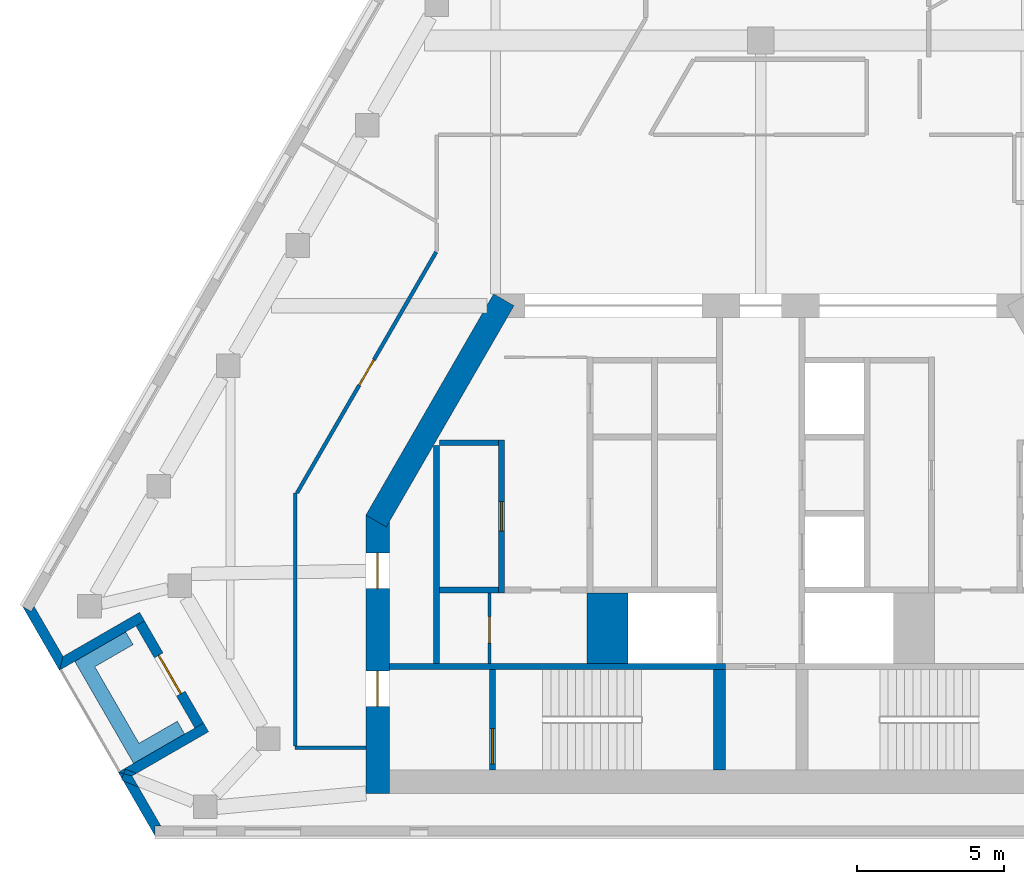
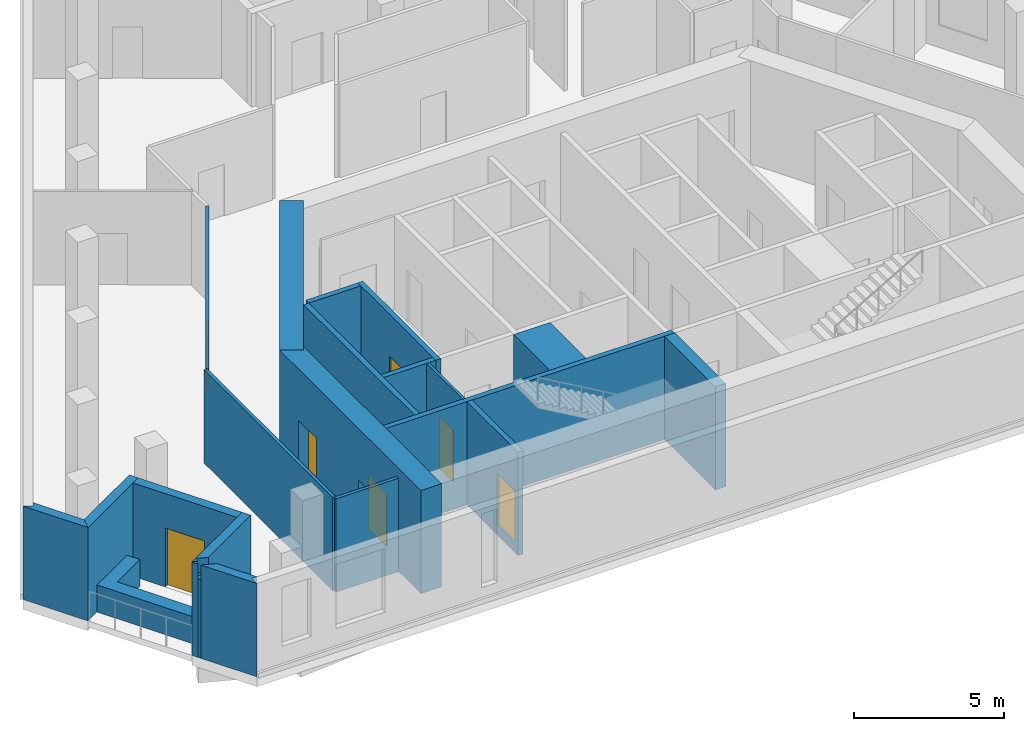
# One storey, part 2 of 8: 23 walls, 7 doors, 7 openings.
"""IFC4 building model written with IfcOpenShell, lengths in metres."""

from ifc_helpers import new_model, si_unit, direction, frame, frame_2d, origin, place, context, subcontext, project, spatial, polyline, rectangle, outline, extrude, material, layer, layer_set, type_object, element, fill, save


model = new_model("IFC4")

# Units and contexts
model_context = context("Model", 3, precision=1e-05, world=origin(), true_north=direction((0.0, 1.0)))
body_context = subcontext(model_context, "Body", "Model", "MODEL_VIEW")
ifc_project = project(units=[si_unit("LENGTHUNIT", "METRE"), si_unit("AREAUNIT", "SQUARE_METRE"), si_unit("VOLUMEUNIT", "CUBIC_METRE"), si_unit("PLANEANGLEUNIT", "RADIAN"), si_unit("MASSUNIT", "GRAM", prefix="KILO")], contexts=[model_context])

# Site, building, storey
site_placement = place(None, origin())
site = spatial("IfcSite", under=ifc_project, at=site_placement, CompositionType="ELEMENT")
building_placement = place(site_placement, origin())
building = spatial("IfcBuilding", under=site, at=building_placement, Name="Fogline Exchange Tower", CompositionType="ELEMENT")
storey_placement = place(building_placement, frame((0.0, 0.0, 296.10009765625)))
storey = spatial("IfcBuildingStorey", under=building, at=storey_placement, Name="L67", CompositionType="ELEMENT", Elevation=296.10009765625)

# Wall, opening, door
ifc_material_1 = material(Name="Blockwork partition", Category="masonry")
ifc_layer_1 = layer(ifc_material_1, 0.10009765625)
ifc_layer_set_1 = layer_set([ifc_layer_1], Name="CW10")
wall_type_1 = type_object("IfcWallType", Name="CW10", PredefinedType="PARTITIONING", material=ifc_layer_set_1)
wall_1_placement = place(storey_placement, frame((-9.199951171875, 5.85009765625, 0.0), z_axis=(0.0, 0.0, 1.0), x_axis=(0.0, 1.0, 0.0)))
wall_1 = element("IfcWall", 1, at=wall_1_placement, inside=storey, type_object=wall_type_1, Name="WC partition", PredefinedType="PARTITIONING", context=body_context, shape_type="SweptSolid", body=[
    extrude(rectangle(XDim=2.39990234375, YDim=0.10009765625, at=frame_2d((1.199951171875, 0.0))), origin(), (0.0, 0.0, 1.0), 3.7998046875),
])
opening_1_placement = place(wall_1_placement, frame((0.699951171875, 0.0, 0.0)))
opening_1 = element("IfcOpeningElement", 2, at=opening_1_placement, cuts=wall_1, Name="Opening T21-C011", PredefinedType="OPENING", context=body_context, shape_type="SweptSolid", body=[
    extrude(rectangle(XDim=0.89990234375, YDim=2.10009765625, at=frame_2d((0.449951171875, 1.050048828125))), frame((0.0, 0.06005859375, 0.0), z_axis=(0.0, -1.0, 0.0), x_axis=(1.0, 0.0, 0.0)), (0.0, 0.0, 1.0), 0.1201171875),
])
ifc_material_2 = material(Name="Steel and timber fire door", Category="steel")
door_type_1 = type_object("IfcDoorType", Name="D-CS1", OperationType="SINGLE_SWING_RIGHT", PredefinedType="DOOR", material=ifc_material_2)
door_1_placement = place(opening_1_placement, origin())
door_1 = element("IfcDoor", 3, at=door_1_placement, inside=storey, type_object=door_type_1, Name="Door to Cleaner's Store", OperationType="SINGLE_SWING_LEFT", OverallHeight=2.10009765625, OverallWidth=0.89990234375, PredefinedType="DOOR", context=body_context, shape_type="SweptSolid", body=[
    extrude(rectangle(XDim=0.89990234375, YDim=2.10009765625, at=frame_2d((0.449951171875, 1.050048828125))), frame((0.0, 0.02490234375, 0.0), z_axis=(0.0, -1.0, 0.0), x_axis=(1.0, 0.0, 0.0)), (0.0, 0.0, 1.0), 0.050048828125),
])
fill(opening_1, door_1)

# Walls
ifc_material_3 = material(Name="Concrete C60", Category="concrete")
ifc_layer_2 = layer(ifc_material_3, 1.39990234375)
ifc_layer_set_2 = layer_set([ifc_layer_2], Name="CW140")
wall_type_2 = type_object("IfcWallType", Name="CW140", PredefinedType="SOLIDWALL", material=ifc_layer_set_2)
wall_2_placement = place(storey_placement, frame((-5.199951171875, 5.85009765625, -0.400146484375), z_axis=(0.0, 0.0, 1.0), x_axis=(0.0, 1.0, 0.0)))
element("IfcWall", 4, at=wall_2_placement, inside=storey, type_object=wall_type_2, Name="Lift shaft block wall", PredefinedType="SOLIDWALL", context=body_context, shape_type="SweptSolid", body=[
    extrude(rectangle(XDim=2.39990234375, YDim=1.39990234375, at=frame_2d((1.199951171875, 0.0))), origin(), (0.0, 0.0, 1.0), 4.199951171875),
])
ifc_material_4 = material(Name="Concrete C40", Category="concrete")
ifc_layer_3 = layer(ifc_material_4, 0.199951171875)
ifc_layer_set_3 = layer_set([ifc_layer_3], Name="CW20")
wall_type_3 = type_object("IfcWallType", Name="CW20", PredefinedType="SOLIDWALL", material=ifc_layer_set_3)
wall_3_placement = place(storey_placement, frame((-11.0, 5.85009765625, 0.0), z_axis=(0.0, 0.0, 1.0), x_axis=(0.0, 1.0, 0.0)))
element("IfcWall", 5, at=wall_3_placement, inside=storey, type_object=wall_type_3, Name="Service room wall", PredefinedType="SOLIDWALL", context=body_context, shape_type="SweptSolid", body=[
    extrude(rectangle(XDim=7.39990234375, YDim=0.199951171875, at=frame_2d((3.699951171875, 0.0))), origin(), (0.0, 0.0, 1.0), 3.7998046875),
])
ifc_layer_4 = layer(ifc_material_4, 0.199951171875)
ifc_layer_set_4 = layer_set([ifc_layer_4], Name="CW20R")
wall_type_4 = type_object("IfcWallType", Name="CW20R", PredefinedType="SOLIDWALL", material=ifc_layer_set_4)
wall_4_placement = place(storey_placement, frame((-12.60009765625, 5.75, -0.400146484375), z_axis=(0.0, 0.0, 1.0), x_axis=(1.0, 0.0, 0.0)))
element("IfcWall", 6, at=wall_4_placement, inside=storey, type_object=wall_type_4, Name="Stair enclosure wall", PredefinedType="SOLIDWALL", context=body_context, shape_type="SweptSolid", body=[
    extrude(rectangle(XDim=11.400146484375, YDim=0.199951171875, at=frame_2d((5.7001953125, 0.0))), origin(), (0.0, 0.0, 1.0), 4.199951171875),
])

# Wall, opening, door
wall_5_placement = place(storey_placement, frame((-9.10009765625, 2.25, -0.400146484375), z_axis=(0.0, 0.0, 1.0), x_axis=(0.0, 1.0, 0.0)))
wall_5 = element("IfcWall", 7, at=wall_5_placement, inside=storey, type_object=wall_type_4, Name="Stair enclosure wall", PredefinedType="SOLIDWALL", context=body_context, shape_type="SweptSolid", body=[
    extrude(rectangle(XDim=3.39990234375, YDim=0.199951171875, at=frame_2d((1.699951171875, 0.0))), origin(), (0.0, 0.0, 1.0), 4.199951171875),
])
opening_2_placement = place(wall_5_placement, frame((0.199951171875, 0.0, 0.39990234375)))
opening_2 = element("IfcOpeningElement", 8, at=opening_2_placement, cuts=wall_5, Name="Opening T21-C013", PredefinedType="OPENING", context=body_context, shape_type="SweptSolid", body=[
    extrude(rectangle(XDim=1.199951171875, YDim=2.10009765625, at=frame_2d((0.60009765625, 1.050048828125))), frame((0.0, 0.10986328125, 0.0), z_axis=(0.0, -1.0, 0.0), x_axis=(1.0, 0.0, 0.0)), (0.0, 0.0, 1.0), 0.219970703125),
])
door_type_2 = type_object("IfcDoorType", Name="D-ST1", OperationType="SINGLE_SWING_LEFT", PredefinedType="DOOR", material=ifc_material_2)
door_2_placement = place(opening_2_placement, frame((1.199951171875, 0.0, 0.0), z_axis=(0.0, 0.0, 1.0), x_axis=(-1.0, 0.0, 0.0)))
door_2 = element("IfcDoor", 9, at=door_2_placement, inside=storey, type_object=door_type_2, Name="Stair door ST1", OperationType="SINGLE_SWING_RIGHT", OverallHeight=2.10009765625, OverallWidth=1.199951171875, PredefinedType="DOOR", context=body_context, shape_type="SweptSolid", body=[
    extrude(rectangle(XDim=1.199951171875, YDim=2.10009765625, at=frame_2d((0.60009765625, 1.050048828125))), frame((0.0, 0.02490234375, 0.0), z_axis=(0.0, -1.0, 0.0), x_axis=(1.0, 0.0, 0.0)), (0.0, 0.0, 1.0), 0.050048828125),
])
fill(opening_2, door_2)

ifc_layer_5 = layer(ifc_material_4, 0.199951171875)
ifc_layer_set_5 = layer_set([ifc_layer_5], Name="CW20S")
wall_type_5 = type_object("IfcWallType", Name="CW20S", PredefinedType="SOLIDWALL", material=ifc_layer_set_5)
wall_6_placement = place(storey_placement, frame((-8.800048828125, 8.25, -0.400146484375), z_axis=(0.0, 0.0, 1.0), x_axis=(0.0, 1.0, 0.0)))
wall_6 = element("IfcWall", 10, at=wall_6_placement, inside=storey, type_object=wall_type_5, Name="Lift shaft wall", PredefinedType="SOLIDWALL", context=body_context, shape_type="SweptSolid", body=[
    extrude(rectangle(XDim=5.199951171875, YDim=0.199951171875, at=frame_2d((2.60009765625, 0.0))), origin(), (0.0, 0.0, 1.0), 4.199951171875),
])
opening_3_placement = place(wall_6_placement, frame((2.10009765625, 0.0, 0.39990234375)))
opening_3 = element("IfcOpeningElement", 11, at=opening_3_placement, cuts=wall_6, Name="Opening T21-C001", PredefinedType="OPENING", context=body_context, shape_type="SweptSolid", body=[
    extrude(rectangle(XDim=1.0, YDim=2.10009765625, at=frame_2d((0.5, 1.050048828125))), frame((0.0, 0.10986328125, 0.0), z_axis=(0.0, -1.0, 0.0), x_axis=(1.0, 0.0, 0.0)), (0.0, 0.0, 1.0), 0.219970703125),
])
door_type_3 = type_object("IfcDoorType", Name="D-RM1", OperationType="SINGLE_SWING_LEFT", PredefinedType="DOOR", material=ifc_material_2)
door_3_placement = place(opening_3_placement, origin())
door_3 = element("IfcDoor", 12, at=door_3_placement, inside=storey, type_object=door_type_3, Name="Door to Archive Room", OperationType="SINGLE_SWING_RIGHT", OverallHeight=2.10009765625, OverallWidth=1.0, PredefinedType="DOOR", context=body_context, shape_type="SweptSolid", body=[
    extrude(rectangle(XDim=1.0, YDim=2.10009765625, at=frame_2d((0.5, 1.050048828125))), frame((0.0, 0.02490234375, 0.0), z_axis=(0.0, -1.0, 0.0), x_axis=(1.0, 0.0, 0.0)), (0.0, 0.0, 1.0), 0.050048828125),
])
fill(opening_3, door_3)

# Walls
for number, where, z_axis, x_axis, name in (
    (13, (-10.89990234375, 8.35009765625, -0.400146484375), (0.0, 0.0, 1.0), (1.0, 0.0, 0.0), "Lift shaft wall"),
    (14, (-10.89990234375, 13.35009765625, -0.400146484375), (0.0, 0.0, 1.0), (1.0, 0.0, 0.0), "Lift shaft wall"),
):
    element("IfcWall", number, at=place(storey_placement, frame(where, z_axis=z_axis, x_axis=x_axis)), inside=storey, type_object=wall_type_5, Name=name, PredefinedType="SOLIDWALL", context=body_context, shape_type="SweptSolid", body=[
        extrude(rectangle(XDim=2.0, YDim=0.199951171875, at=frame_2d((1.0, 0.0))), origin(), (0.0, 0.0, 1.0), 4.199951171875),
    ])
ifc_layer_6 = layer(ifc_material_4, 0.39990234375)
ifc_layer_set_6 = layer_set([ifc_layer_6], Name="CW40R")
wall_type_6 = type_object("IfcWallType", Name="CW40R", PredefinedType="SOLIDWALL", material=ifc_layer_set_6)
wall_7_placement = place(storey_placement, frame((-1.39990234375, 2.25, -0.400146484375), z_axis=(0.0, 0.0, 1.0), x_axis=(0.0, 1.0, 0.0)))
element("IfcWall", 15, at=wall_7_placement, inside=storey, type_object=wall_type_6, Name="Stair and lift shaft wall", PredefinedType="SOLIDWALL", context=body_context, shape_type="SweptSolid", body=[
    extrude(rectangle(XDim=3.39990234375, YDim=0.39990234375, at=frame_2d((1.699951171875, 0.0))), origin(), (0.0, 0.0, 1.0), 4.199951171875),
])
ifc_material_5 = material(Name="Brick masonry", Category="masonry")
ifc_layer_7 = layer(ifc_material_5, 0.340087890625)
ifc_layer_set_7 = layer_set([ifc_layer_7], Name="FW1")
wall_type_7 = type_object("IfcWallType", Name="FW1", PredefinedType="SOLIDWALL", material=ifc_layer_set_7)
wall_8_placement = place(storey_placement, origin())
element("IfcWall", 16, at=wall_8_placement, inside=storey, type_object=wall_type_7, Name="Brick wall L67 SW-c1", PredefinedType="SOLIDWALL", context=body_context, shape_type="SweptSolid", body=[
    extrude(outline(polyline([(-23.80224609375, 5.6279296875), (-25.05322265625, 7.794921875), (-25.052734375, 7.79541015625), (-24.758056640625, 7.625), (-24.65966796875, 7.79541015625), (-23.677001953125, 6.09375), (-23.8017578125, 5.6279296875), (-23.80224609375, 5.6279296875)])), origin(), (0.0, 0.0, 1.0), 3.7998046875),
])
wall_9_placement = place(storey_placement, origin())
element("IfcWall", 17, at=wall_9_placement, inside=storey, type_object=wall_type_7, Name="Brick wall L67 SW-s1", PredefinedType="SOLIDWALL", context=body_context, shape_type="SweptSolid", body=[
    extrude(outline(polyline([(-21.079345703125, 7.594482421875), (-20.908935546875, 7.298828125), (-21.203857421875, 7.128662109375), (-23.802734375, 5.628173828125), (-23.802978515625, 5.62841796875), (-23.67822265625, 6.093994140625), (-21.079345703125, 7.594482421875)])), origin(), (0.0, 0.0, 1.0), 3.7998046875),
])

# Wall, opening, door
wall_10_placement = place(storey_placement, frame((-21.056884765625, 7.214111328125, 0.0), z_axis=(0.0, 0.0, 1.0), x_axis=(0.49999894854, -0.866026010844, 0.0)))
wall_10 = element("IfcWall", 18, at=wall_10_placement, inside=storey, type_object=wall_type_7, Name="Brick wall L67 SW-bk", PredefinedType="SOLIDWALL", context=body_context, shape_type="SweptSolid", body=[
    extrude(rectangle(XDim=4.0, YDim=0.340087890625, at=frame_2d((2.0, 0.0))), origin(), (0.0, 0.0, 1.0), 3.7998046875),
])
opening_4_placement = place(wall_10_placement, frame((1.25, 0.0, 0.0)))
opening_4 = element("IfcOpeningElement", 19, at=opening_4_placement, cuts=wall_10, Name="Opening T21-E021", PredefinedType="OPENING", context=body_context, shape_type="SweptSolid", body=[
    extrude(rectangle(XDim=1.5, YDim=2.39990234375, at=frame_2d((0.75, 1.199951171875))), frame((0.0, 0.18017578125, 0.0), z_axis=(0.0, -1.0, 0.0), x_axis=(1.0, 0.0, 0.0)), (0.0, 0.0, 1.0), 0.360107421875),
])
ifc_material_6 = material(Name="Aluminium and glass", Category="aluminium")
door_type_4 = type_object("IfcDoorType", Name="ED4", OperationType="SINGLE_SWING_LEFT", PredefinedType="DOOR", material=ifc_material_6)
door_4_placement = place(opening_4_placement, frame((1.5, 0.0, 0.0), z_axis=(0.0, 0.0, 1.0), x_axis=(-1.0, 0.0, 0.0)))
door_4 = element("IfcDoor", 20, at=door_4_placement, inside=storey, type_object=door_type_4, Name="Balcony door L67 SW", OperationType="DOUBLE_DOOR_SINGLE_SWING", OverallHeight=2.39990234375, OverallWidth=1.5, PredefinedType="DOOR", context=body_context, shape_type="SweptSolid", body=[
    extrude(rectangle(XDim=1.5, YDim=2.39990234375, at=frame_2d((0.75, 1.199951171875))), frame((0.0, 0.02490234375, 0.0), z_axis=(0.0, -1.0, 0.0), x_axis=(1.0, 0.0, 0.0)), (0.0, 0.0, 1.0), 0.050048828125),
])
fill(opening_4, door_4)

# Walls
wall_11_placement = place(storey_placement, origin())
element("IfcWall", 21, at=wall_11_placement, inside=storey, type_object=wall_type_7, Name="Brick wall L67 SW-s2", PredefinedType="SOLIDWALL", context=body_context, shape_type="SweptSolid", body=[
    extrude(outline(polyline([(-21.337646484375, 2.0400390625), (-21.622314453125, 2.1162109375), (-21.56201171875, 2.2705078125), (-21.18994140625, 2.125244140625), (-21.337646484375, 2.0400390625)])), origin(), (0.0, 0.0, 1.0), 3.199951171875),
])
wall_12_placement = place(storey_placement, origin())
element("IfcWall", 22, at=wall_12_placement, inside=storey, type_object=wall_type_7, Name="Brick wall L67 SW-s2", PredefinedType="SOLIDWALL", context=body_context, shape_type="SweptSolid", body=[
    extrude(outline(polyline([(-19.204345703125, 3.66552734375), (-18.909423828125, 3.8359375), (-18.73876953125, 3.540283203125), (-21.18994140625, 2.125244140625), (-21.56201171875, 2.2705078125), (-21.622314453125, 2.1162109375), (-21.803466796875, 2.164794921875), (-21.803466796875, 2.1650390625), (-19.204345703125, 3.66552734375)])), origin(), (0.0, 0.0, 1.0), 3.7998046875),
])
wall_13_placement = place(storey_placement, origin())
element("IfcWall", 23, at=wall_13_placement, inside=storey, type_object=wall_type_7, Name="Brick wall L67 SW-c2", PredefinedType="SOLIDWALL", context=body_context, shape_type="SweptSolid", body=[
    extrude(outline(polyline([(-21.683837890625, 1.958740234375), (-21.621826171875, 2.117431640625), (-21.33740234375, 2.041015625), (-21.122802734375, 1.66943359375), (-21.63134765625, 1.8681640625), (-21.683837890625, 1.958740234375)])), origin(), (0.0, 0.0, 1.0), 3.199951171875),
])
wall_14_placement = place(storey_placement, origin())
element("IfcWall", 24, at=wall_14_placement, inside=storey, type_object=wall_type_7, Name="Brick wall L67 SW-c2", PredefinedType="SOLIDWALL", context=body_context, shape_type="SweptSolid", body=[
    extrude(outline(polyline([(-20.551513671875, 0.33935546875), (-20.551513671875, -0.0009765625), (-20.55224609375, -0.001220703125), (-21.63134765625, 1.8681640625), (-21.122802734375, 1.66943359375), (-20.354736328125, 0.33935546875), (-20.551513671875, 0.33935546875)])), origin(), (0.0, 0.0, 1.0), 3.7998046875),
])
wall_15_placement = place(storey_placement, origin())
element("IfcWall", 25, at=wall_15_placement, inside=storey, type_object=wall_type_7, Name="Brick wall L67 SW-c2", PredefinedType="SOLIDWALL", context=body_context, shape_type="SweptSolid", body=[
    extrude(outline(polyline([(-21.80322265625, 2.165771484375), (-21.802978515625, 2.166015625), (-21.621826171875, 2.117431640625), (-21.683837890625, 1.958740234375), (-21.80322265625, 2.165771484375)])), origin(), (0.0, 0.0, 1.0), 3.7998046875),
])
ifc_material_7 = material(Name="Concrete C30", Category="concrete")
ifc_layer_8 = layer(ifc_material_7, 0.199951171875)
ifc_layer_set_8 = layer_set([ifc_layer_8], Name="PL1")
wall_type_8 = type_object("IfcWallType", Name="PL1", PredefinedType="USERDEFINED", material=ifc_layer_set_8)
wall_16_placement = place(storey_placement, origin())
element("IfcWall", 26, at=wall_16_placement, inside=storey, type_object=wall_type_8, Name="PLANTER balcony L67 SW", ObjectType="PLANTER", PredefinedType="USERDEFINED", context=body_context, shape_type="SweptSolid", body=[
    extrude(outline(polyline([(-19.800537109375, 3.898193359375), (-21.099609375, 3.148193359375), (-22.599609375, 5.74609375), (-21.300537109375, 6.49609375), (-21.550537109375, 6.92919921875), (-23.28271484375, 5.92919921875), (-21.28271484375, 2.465087890625), (-20.849609375, 2.715087890625), (-20.849609375, 2.715087890625), (-19.550537109375, 3.465087890625), (-19.800537109375, 3.898193359375)])), origin(), (0.0, 0.0, 1.0), 1.099853515625),
])
ifc_material_8 = material(Name="Plasterboard corridor partition with mineral wool, 2 layers each side")
ifc_layer_9 = layer(ifc_material_8, 0.125)
ifc_layer_set_9 = layer_set([ifc_layer_9], Name="PW2")
wall_type_9 = type_object("IfcWallType", Name="PW2", PredefinedType="PARTITIONING", material=ifc_layer_set_9)
wall_17_placement = place(storey_placement, frame((-13.39990234375, 3.0, 0.0), z_axis=(0.0, 0.0, 1.0), x_axis=(-1.0, 0.0, 0.0)))
element("IfcWall", 27, at=wall_17_placement, inside=storey, type_object=wall_type_9, Name="wall-L67-W013", PredefinedType="PARTITIONING", context=body_context, shape_type="SweptSolid", body=[
    extrude(rectangle(XDim=2.400146484375, YDim=0.125, at=frame_2d((1.2001953125, 0.0))), origin(), (0.0, 0.0, 1.0), 3.7998046875),
])
wall_18_placement = place(storey_placement, frame((-15.800048828125, 3.0625, 0.0), z_axis=(0.0, 0.0, 1.0), x_axis=(0.0, 1.0, 0.0)))
element("IfcWall", 28, at=wall_18_placement, inside=storey, type_object=wall_type_9, Name="wall-L67-W014", PredefinedType="PARTITIONING", context=body_context, shape_type="SweptSolid", body=[
    extrude(rectangle(XDim=8.5810546875, YDim=0.125, at=frame_2d((4.29052734375, 0.0))), origin(), (0.0, 0.0, 1.0), 3.7998046875),
])

# Wall, opening, door
wall_19_placement = place(storey_placement, frame((-15.737548828125, 11.643310546875, 0.0), z_axis=(0.0, 0.0, 1.0), x_axis=(0.500017851522, 0.866015096958, 0.0)))
wall_19 = element("IfcWall", 29, at=wall_19_placement, inside=storey, type_object=wall_type_9, Name="wall-L67-W015", PredefinedType="PARTITIONING", context=body_context, shape_type="SweptSolid", body=[
    extrude(rectangle(XDim=9.443603515625, YDim=0.125, at=frame_2d((4.7216796875, 0.0))), origin(), (0.0, 0.0, 1.0), 3.7998046875),
])
opening_5_placement = place(wall_19_placement, frame((4.221923828125, 0.0, 0.0)))
opening_5 = element("IfcOpeningElement", 30, at=opening_5_placement, cuts=wall_19, Name="Opening T21-D006", PredefinedType="OPENING", context=body_context, shape_type="SweptSolid", body=[
    extrude(rectangle(XDim=1.0, YDim=2.10009765625, at=frame_2d((0.5, 1.050048828125))), frame((0.0, 0.072509765625, 0.0), z_axis=(0.0, -1.0, 0.0), x_axis=(1.0, 0.0, 0.0)), (0.0, 0.0, 1.0), 0.14501953125),
])
ifc_material_9 = material(Name="Fire-rated timber door leaf with steel frame", Category="steel")
door_type_5 = type_object("IfcDoorType", Name="D3", OperationType="SINGLE_SWING_LEFT", PredefinedType="DOOR", material=ifc_material_9)
door_5_placement = place(opening_5_placement, origin())
door_5 = element("IfcDoor", 31, at=door_5_placement, inside=storey, type_object=door_type_5, Name="door-L67-D006", OperationType="SINGLE_SWING_LEFT", OverallHeight=2.10009765625, OverallWidth=1.0, PredefinedType="DOOR", context=body_context, shape_type="SweptSolid", body=[
    extrude(rectangle(XDim=1.0, YDim=2.10009765625, at=frame_2d((0.5, 1.050048828125))), frame((0.0, 0.02490234375, 0.0), z_axis=(0.0, -1.0, 0.0), x_axis=(1.0, 0.0, 0.0)), (0.0, 0.0, 1.0), 0.050048828125),
])
fill(opening_5, door_5)

# Wall
ifc_material_10 = material(Name="Concrete C50", Category="concrete")
ifc_layer_10 = layer(ifc_material_10, 0.800048828125)
ifc_layer_set_10 = layer_set([ifc_layer_10], Name="SW04")
wall_type_10 = type_object("IfcWallType", Name="SW04", PredefinedType="SHEAR", material=ifc_layer_set_10)
wall_20_placement = place(storey_placement, frame((-8.71875, 18.199951171875, 0.0), z_axis=(0.0, 0.0, 1.0), x_axis=(-0.500015780397, -0.866016292776, 0.0)))
element("IfcWall", 32, at=wall_20_placement, inside=storey, type_object=wall_type_10, Name="L67-W905", PredefinedType="SHEAR", context=body_context, shape_type="SweptSolid", body=[
    extrude(rectangle(XDim=8.669677734375, YDim=0.800048828125, at=frame_2d((4.3349609375, 0.0))), origin(), (0.0, 0.0, 1.0), 4.199951171875),
])

# Wall, openings, doors
wall_21_placement = place(storey_placement, frame((-13.0, 10.891845703125, 0.0), z_axis=(0.0, 0.0, 1.0), x_axis=(0.0, -1.0, 0.0)))
wall_21 = element("IfcWall", 33, at=wall_21_placement, inside=storey, type_object=wall_type_10, Name="L67-W906", PredefinedType="SHEAR", context=body_context, shape_type="SweptSolid", body=[
    extrude(rectangle(XDim=9.44189453125, YDim=0.800048828125, at=frame_2d((4.720947265625, 0.0))), origin(), (0.0, 0.0, 1.0), 4.199951171875),
])
opening_6_placement = place(wall_21_placement, frame((5.291748046875, 0.0, 0.0)))
opening_6 = element("IfcOpeningElement", 34, at=opening_6_placement, cuts=wall_21, Name="Opening T21-C012", PredefinedType="OPENING", context=body_context, shape_type="SweptSolid", body=[
    extrude(rectangle(XDim=1.199951171875, YDim=2.10009765625, at=frame_2d((0.60009765625, 1.050048828125))), frame((0.0, 0.41015625, 0.0), z_axis=(0.0, -1.0, 0.0), x_axis=(1.0, 0.0, 0.0)), (0.0, 0.0, 1.0), 0.820068359375),
])
opening_7_placement = place(wall_21_placement, frame((1.291748046875, 0.0, 0.0)))
opening_7 = element("IfcOpeningElement", 35, at=opening_7_placement, cuts=wall_21, Name="Opening T21-C014", PredefinedType="OPENING", context=body_context, shape_type="SweptSolid", body=[
    extrude(rectangle(XDim=1.199951171875, YDim=2.10009765625, at=frame_2d((0.60009765625, 1.050048828125))), frame((0.0, 0.41015625, 0.0), z_axis=(0.0, -1.0, 0.0), x_axis=(1.0, 0.0, 0.0)), (0.0, 0.0, 1.0), 0.820068359375),
])
door_type_6 = type_object("IfcDoorType", Name="D-FR1", OperationType="SINGLE_SWING_RIGHT", PredefinedType="DOOR", material=ifc_material_2)
door_6_placement = place(opening_6_placement, origin())
door_6 = element("IfcDoor", 36, at=door_6_placement, inside=storey, type_object=door_type_6, Name="Front room door ST1", OperationType="SINGLE_SWING_LEFT", OverallHeight=2.10009765625, OverallWidth=1.199951171875, PredefinedType="DOOR", context=body_context, shape_type="SweptSolid", body=[
    extrude(rectangle(XDim=1.199951171875, YDim=2.10009765625, at=frame_2d((0.60009765625, 1.050048828125))), frame((0.0, 0.02490234375, 0.0), z_axis=(0.0, -1.0, 0.0), x_axis=(1.0, 0.0, 0.0)), (0.0, 0.0, 1.0), 0.050048828125),
])
fill(opening_6, door_6)
door_type_7 = type_object("IfcDoorType", Name="D-SV1", OperationType="SINGLE_SWING_LEFT", PredefinedType="DOOR", material=ifc_material_2)
door_7_placement = place(opening_7_placement, origin())
door_7 = element("IfcDoor", 37, at=door_7_placement, inside=storey, type_object=door_type_7, Name="Service door W", OperationType="SINGLE_SWING_LEFT", OverallHeight=2.10009765625, OverallWidth=1.199951171875, PredefinedType="DOOR", context=body_context, shape_type="SweptSolid", body=[
    extrude(rectangle(XDim=1.199951171875, YDim=2.10009765625, at=frame_2d((0.60009765625, 1.050048828125))), frame((0.0, 0.02490234375, 0.0), z_axis=(0.0, -1.0, 0.0), x_axis=(1.0, 0.0, 0.0)), (0.0, 0.0, 1.0), 0.050048828125),
])
fill(opening_7, door_7)

save(model, "model.ifc")
